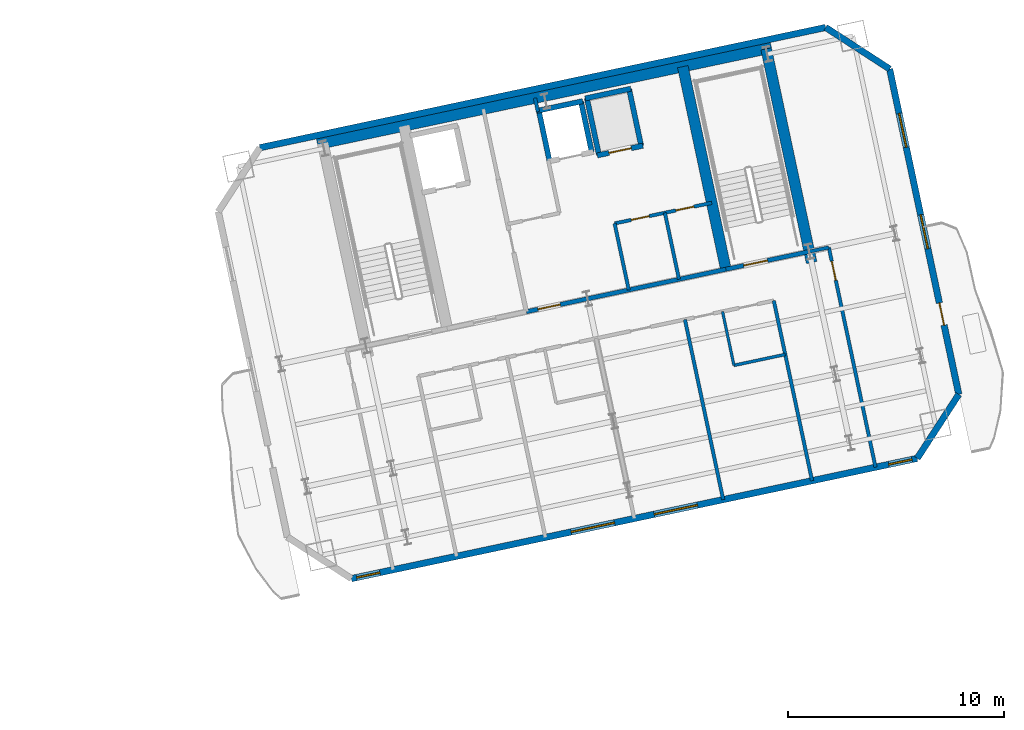
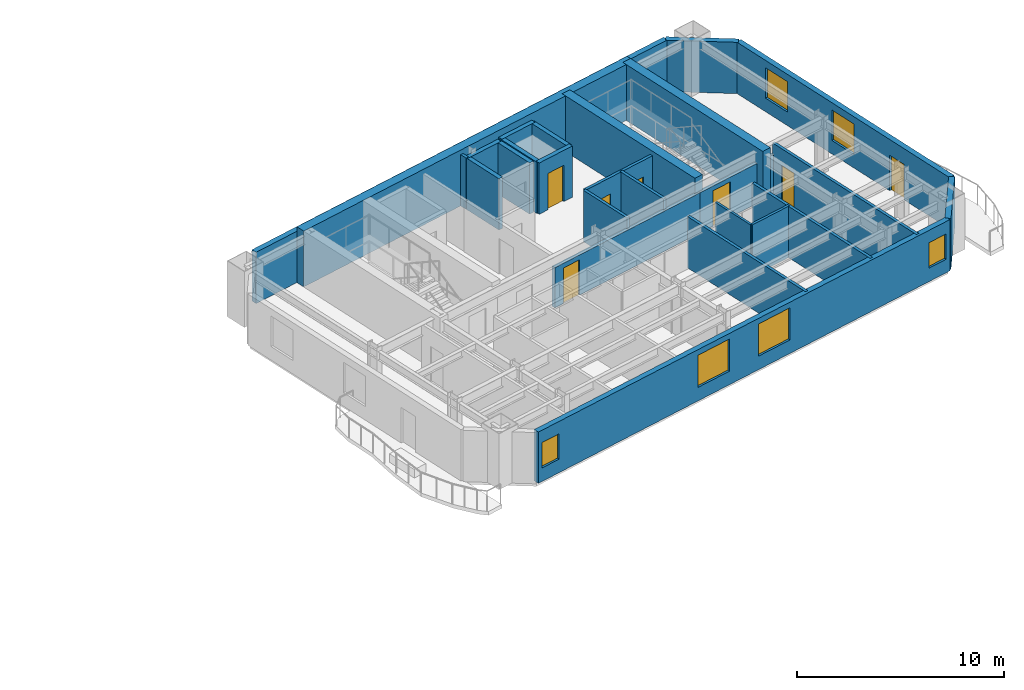
# One storey, part 8 of 14: 27 walls, 7 doors, 6 windows, 13 openings.
"""IFC4 building model written with IfcOpenShell, lengths in metres."""

from ifc_helpers import new_model, si_unit, direction, frame, frame_2d, origin, place, context, subcontext, project, spatial, rectangle, extrude, material, layer, layer_set, type_object, element, fill, save


model = new_model("IFC4")

# Units and contexts
model_context = context("Model", 3, precision=1e-05, world=origin(), true_north=direction((0.0, 1.0)))
body_context = subcontext(model_context, "Body", "Model", "MODEL_VIEW")
ifc_project = project(units=[si_unit("LENGTHUNIT", "METRE"), si_unit("AREAUNIT", "SQUARE_METRE"), si_unit("VOLUMEUNIT", "CUBIC_METRE"), si_unit("PLANEANGLEUNIT", "RADIAN"), si_unit("MASSUNIT", "GRAM", prefix="KILO")], contexts=[model_context])

# Site, building, storey
site_placement = place(None, origin())
site = spatial("IfcSite", under=ifc_project, at=site_placement, CompositionType="ELEMENT")
building_placement = place(site_placement, origin())
building = spatial("IfcBuilding", under=site, at=building_placement, Name="Haevon Station Towers", CompositionType="ELEMENT")
storey_placement = place(building_placement, frame((0.0, 0.0, 169.199951171875)))
storey = spatial("IfcBuildingStorey", under=building, at=storey_placement, Name="L46", CompositionType="ELEMENT", Elevation=169.199951171875)

# Wall, opening, door
ifc_material_1 = material(Name="Gypsum board on steel stud", Category="steel")
ifc_layer_1 = layer(ifc_material_1, 0.199951171875)
ifc_layer_set_1 = layer_set([ifc_layer_1], Name="Gypsum board on steel stud")
wall_type_1 = type_object("IfcWallType", Name="WL-COR200", PredefinedType="PARTITIONING", material=ifc_layer_set_1)
wall_1_placement = place(storey_placement, frame((115.4296875, 40.9873046875, 0.0), z_axis=(0.0, 0.0, 1.0), x_axis=(0.978146596989, 0.207916413008, 0.0)))
wall_1 = element("IfcWall", 1, at=wall_1_placement, inside=storey, type_object=wall_type_1, Name="WL-ST-ST4-L46", PredefinedType="PARTITIONING", context=body_context, shape_type="SweptSolid", body=[
    extrude(rectangle(XDim=3.9501953125, YDim=0.199951171875, at=frame_2d((1.97509765625, 0.0))), origin(), (0.0, 0.0, 1.0), 2.380126953125),
])
opening_1_placement = place(wall_1_placement, frame((0.85009765625, 0.0, 0.0)))
opening_1 = element("IfcOpeningElement", 2, at=opening_1_placement, cuts=wall_1, Name="Opening DR-ST-ST4-L46", PredefinedType="OPENING", context=body_context, shape_type="SweptSolid", body=[
    extrude(rectangle(XDim=1.1201171875, YDim=2.10009765625, at=frame_2d((0.56005859375, 1.050048828125))), frame((0.0, 0.10986328125, 0.0), z_axis=(0.0, -1.0, 0.0), x_axis=(1.0, 0.0, 0.0)), (0.0, 0.0, 1.0), 0.219970703125),
])
ifc_material_2 = material(Name="Engineered oak timber", Category="wood")
door_type_1 = type_object("IfcDoorType", Name="DR-ST-1120", OperationType="NOTDEFINED", PredefinedType="DOOR", material=ifc_material_2)
door_1_placement = place(opening_1_placement, origin())
door_1 = element("IfcDoor", 3, at=door_1_placement, inside=storey, type_object=door_type_1, Name="L46 Escape Stair ST4 Fire Door", OperationType="SINGLE_SWING_RIGHT", OverallHeight=2.10009765625, OverallWidth=1.1201171875, PredefinedType="DOOR", context=body_context, shape_type="SweptSolid", body=[
    extrude(rectangle(XDim=1.1201171875, YDim=2.10009765625, at=frame_2d((0.56005859375, 1.050048828125))), frame((0.0, 0.02490234375, 0.0), z_axis=(0.0, -1.0, 0.0), x_axis=(1.0, 0.0, 0.0)), (0.0, 0.0, 1.0), 0.050048828125),
])
fill(opening_1, door_1)

wall_2_placement = place(storey_placement, frame((106.186279296875, 39.0224609375, 0.0), z_axis=(0.0, 0.0, 1.0), x_axis=(0.978145519981, 0.20792147975, 0.0)))
wall_2 = element("IfcWall", 4, at=wall_2_placement, inside=storey, type_object=wall_type_1, Name="WL-T2CLB-L46", PredefinedType="PARTITIONING", context=body_context, shape_type="SweptSolid", body=[
    extrude(rectangle(XDim=9.449951171875, YDim=0.199951171875, at=frame_2d((4.72509765625, 0.0))), origin(), (0.0, 0.0, 1.0), 2.380126953125),
])
opening_2_placement = place(wall_2_placement, frame((0.550048828125, 0.0, 0.0)))
opening_2 = element("IfcOpeningElement", 5, at=opening_2_placement, cuts=wall_2, Name="Opening DR-T2CLB-L46-1", PredefinedType="OPENING", context=body_context, shape_type="SweptSolid", body=[
    extrude(rectangle(XDim=1.050048828125, YDim=2.10009765625, at=frame_2d((0.52490234375, 1.050048828125))), frame((0.0, 0.10986328125, 0.0), z_axis=(0.0, -1.0, 0.0), x_axis=(1.0, 0.0, 0.0)), (0.0, 0.0, 1.0), 0.219970703125),
])
door_type_2 = type_object("IfcDoorType", Name="DR-FD60-1050", OperationType="NOTDEFINED", PredefinedType="DOOR", material=ifc_material_2)
door_2_placement = place(opening_2_placement, origin())
door_2 = element("IfcDoor", 6, at=door_2_placement, inside=storey, type_object=door_type_2, Name="L46 Tower 2 Core Lift Lobby Door 1", OperationType="SINGLE_SWING_LEFT", OverallHeight=2.10009765625, OverallWidth=1.050048828125, PredefinedType="DOOR", context=body_context, shape_type="SweptSolid", body=[
    extrude(rectangle(XDim=1.050048828125, YDim=2.10009765625, at=frame_2d((0.52490234375, 1.050048828125))), frame((0.0, 0.02490234375, 0.0), z_axis=(0.0, -1.0, 0.0), x_axis=(1.0, 0.0, 0.0)), (0.0, 0.0, 1.0), 0.050048828125),
])
fill(opening_2, door_2)

# Walls
ifc_material_3 = material(Name="Concrete C60/75", Category="concrete")
ifc_layer_2 = layer(ifc_material_3, 0.5)
ifc_layer_set_2 = layer_set([ifc_layer_2], Name="Concrete C60/75")
wall_type_2 = type_object("IfcWallType", Name="WL-CR500", PredefinedType="SHEAR", material=ifc_layer_set_2)
wall_3_placement = place(storey_placement, frame((96.511962890625, 46.78076171875, 0.0), z_axis=(0.0, 0.0, 1.0), x_axis=(0.978148546782, 0.207907239961, 0.0)))
element("IfcWall", 7, at=wall_3_placement, inside=storey, type_object=wall_type_2, Name="WL-T2CR-L46-N", PredefinedType="SHEAR", context=body_context, shape_type="SweptSolid", body=[
    extrude(rectangle(XDim=21.499755859375, YDim=0.5, at=frame_2d((10.75, 0.0))), origin(), (0.0, 0.0, 1.0), 3.300048828125),
])
wall_4_placement = place(storey_placement, frame((119.401611328125, 41.2998046875, 0.0), z_axis=(0.0, 0.0, 1.0), x_axis=(-0.207904342798, 0.978149162575, 0.0)))
element("IfcWall", 8, at=wall_4_placement, inside=storey, type_object=wall_type_2, Name="WL-T2CR-L46-E", PredefinedType="SHEAR", context=body_context, shape_type="SweptSolid", body=[
    extrude(rectangle(XDim=10.1201171875, YDim=0.5, at=frame_2d((5.06005859375, 0.0))), origin(), (0.0, 0.0, 1.0), 3.300048828125),
])
wall_5_placement = place(storey_placement, frame((115.4296875, 40.9873046875, 0.0), z_axis=(0.0, 0.0, 1.0), x_axis=(-0.207903162969, 0.978149413345, 0.0)))
element("IfcWall", 9, at=wall_5_placement, inside=storey, type_object=wall_type_2, Name="WL-T2CR-L46-M2", PredefinedType="SHEAR", context=body_context, shape_type="SweptSolid", body=[
    extrude(rectangle(XDim=9.599853515625, YDim=0.5, at=frame_2d((4.7998046875, 0.0))), origin(), (0.0, 0.0, 1.0), 3.300048828125),
])

# Wall, openings, windows
ifc_material_4 = material(Name="Precast concrete C45/55", Category="concrete")
ifc_layer_3 = layer(ifc_material_4, 0.300048828125)
ifc_layer_set_3 = layer_set([ifc_layer_3], Name="Precast concrete C45/55")
wall_type_3 = type_object("IfcWallType", Name="WL-EXT-PIER300", PredefinedType="SOLIDWALL", material=ifc_layer_set_3)
wall_6_placement = place(storey_placement, frame((124.29443359375, 32.22900390625, 0.0), z_axis=(0.0, 0.0, 1.0), x_axis=(-0.978147690128, -0.20791127025, 0.0)))
wall_6 = element("IfcWall", 10, at=wall_6_placement, inside=storey, type_object=wall_type_3, Name="WL-T2-L46-S", PredefinedType="SOLIDWALL", context=body_context, shape_type="SweptSolid", body=[
    extrude(rectangle(XDim=26.800048828125, YDim=0.300048828125, at=frame_2d((13.39990234375, 0.0))), origin(), (0.0, 0.0, 1.0), 3.030029296875),
])
opening_3_placement = place(wall_6_placement, frame((25.449951171875, 0.0, 0.800048828125)))
opening_3 = element("IfcOpeningElement", 11, at=opening_3_placement, cuts=wall_6, Name="Opening WN-COR110", PredefinedType="OPENING", context=body_context, shape_type="SweptSolid", body=[
    extrude(rectangle(XDim=1.10009765625, YDim=1.5, at=frame_2d((0.550048828125, 0.75))), frame((0.0, 0.159912109375, 0.0), z_axis=(0.0, -1.0, 0.0), x_axis=(1.0, 0.0, 0.0)), (0.0, 0.0, 1.0), 0.320068359375),
])
opening_4_placement = place(wall_6_placement, frame((0.25, 0.0, 0.800048828125)))
opening_4 = element("IfcOpeningElement", 12, at=opening_4_placement, cuts=wall_6, Name="Opening WN-COR110", PredefinedType="OPENING", context=body_context, shape_type="SweptSolid", body=[
    extrude(rectangle(XDim=1.10009765625, YDim=1.5, at=frame_2d((0.550048828125, 0.75))), frame((0.0, 0.159912109375, 0.0), z_axis=(0.0, -1.0, 0.0), x_axis=(1.0, 0.0, 0.0)), (0.0, 0.0, 1.0), 0.320068359375),
])
opening_5_placement = place(wall_6_placement, frame((14.340087890625, 0.0, 0.800048828125)))
opening_5 = element("IfcOpeningElement", 13, at=opening_5_placement, cuts=wall_6, Name="Opening WN-P205", PredefinedType="OPENING", context=body_context, shape_type="SweptSolid", body=[
    extrude(rectangle(XDim=2.050048828125, YDim=1.89990234375, at=frame_2d((1.02490234375, 0.949951171875))), frame((0.0, 0.159912109375, 0.0), z_axis=(0.0, -1.0, 0.0), x_axis=(1.0, 0.0, 0.0)), (0.0, 0.0, 1.0), 0.320068359375),
])
opening_6_placement = place(wall_6_placement, frame((10.409912109375, 0.0, 0.800048828125)))
opening_6 = element("IfcOpeningElement", 14, at=opening_6_placement, cuts=wall_6, Name="Opening WN-P205", PredefinedType="OPENING", context=body_context, shape_type="SweptSolid", body=[
    extrude(rectangle(XDim=2.050048828125, YDim=1.89990234375, at=frame_2d((1.02490234375, 0.949951171875))), frame((0.0, 0.159912109375, 0.0), z_axis=(0.0, -1.0, 0.0), x_axis=(1.0, 0.0, 0.0)), (0.0, 0.0, 1.0), 0.320068359375),
])
ifc_material_5 = material(Name="Low-E triple glazing in thermally broken aluminium", Category="aluminium")
window_type_1 = type_object("IfcWindowType", Name="WN-COR110", PartitioningType="SINGLE_PANEL", PredefinedType="WINDOW", material=ifc_material_5)
window_1_placement = place(opening_3_placement, origin())
window_1 = element("IfcWindow", 15, at=window_1_placement, inside=storey, type_object=window_type_1, Name="WN-T2-L46-S01", OverallHeight=1.5, OverallWidth=1.10009765625, PartitioningType="SINGLE_PANEL", PredefinedType="WINDOW", context=body_context, shape_type="SweptSolid", body=[
    extrude(rectangle(XDim=1.10009765625, YDim=1.5, at=frame_2d((0.550048828125, 0.75))), frame((0.0, 0.030029296875, 0.0), z_axis=(0.0, -1.0, 0.0), x_axis=(1.0, 0.0, 0.0)), (0.0, 0.0, 1.0), 0.06005859375),
])
fill(opening_3, window_1)
window_2_placement = place(opening_4_placement, origin())
window_2 = element("IfcWindow", 16, at=window_2_placement, inside=storey, type_object=window_type_1, Name="WN-T2-L46-S02", OverallHeight=1.5, OverallWidth=1.10009765625, PartitioningType="SINGLE_PANEL", PredefinedType="WINDOW", context=body_context, shape_type="SweptSolid", body=[
    extrude(rectangle(XDim=1.10009765625, YDim=1.5, at=frame_2d((0.550048828125, 0.75))), frame((0.0, 0.030029296875, 0.0), z_axis=(0.0, -1.0, 0.0), x_axis=(1.0, 0.0, 0.0)), (0.0, 0.0, 1.0), 0.06005859375),
])
fill(opening_4, window_2)
window_type_2 = type_object("IfcWindowType", Name="WN-P205", PartitioningType="SINGLE_PANEL", PredefinedType="WINDOW", material=ifc_material_5)
window_3_placement = place(opening_5_placement, origin())
window_3 = element("IfcWindow", 17, at=window_3_placement, inside=storey, type_object=window_type_2, Name="WN-T2-L46-S03", OverallHeight=1.89990234375, OverallWidth=2.050048828125, PartitioningType="SINGLE_PANEL", PredefinedType="WINDOW", context=body_context, shape_type="SweptSolid", body=[
    extrude(rectangle(XDim=2.050048828125, YDim=1.89990234375, at=frame_2d((1.02490234375, 0.949951171875))), frame((0.0, 0.030029296875, 0.0), z_axis=(0.0, -1.0, 0.0), x_axis=(1.0, 0.0, 0.0)), (0.0, 0.0, 1.0), 0.06005859375),
])
fill(opening_5, window_3)
window_4_placement = place(opening_6_placement, origin())
window_4 = element("IfcWindow", 18, at=window_4_placement, inside=storey, type_object=window_type_2, Name="WN-T2-L46-S04", OverallHeight=1.89990234375, OverallWidth=2.050048828125, PartitioningType="SINGLE_PANEL", PredefinedType="WINDOW", context=body_context, shape_type="SweptSolid", body=[
    extrude(rectangle(XDim=2.050048828125, YDim=1.89990234375, at=frame_2d((1.02490234375, 0.949951171875))), frame((0.0, 0.030029296875, 0.0), z_axis=(0.0, -1.0, 0.0), x_axis=(1.0, 0.0, 0.0)), (0.0, 0.0, 1.0), 0.06005859375),
])
fill(opening_6, window_4)

# Walls
wall_7_placement = place(storey_placement, frame((93.836669921875, 46.620849609375, 0.0), z_axis=(0.0, 0.0, 1.0), x_axis=(0.978147690128, 0.20791127025, 0.0)))
element("IfcWall", 19, at=wall_7_placement, inside=storey, type_object=wall_type_3, Name="WL-T2-L46-N", PredefinedType="SOLIDWALL", context=body_context, shape_type="SweptSolid", body=[
    extrude(rectangle(XDim=26.800048828125, YDim=0.300048828125, at=frame_2d((13.39990234375, 0.0))), origin(), (0.0, 0.0, 1.0), 3.030029296875),
])
wall_8_placement = place(storey_placement, frame((120.051025390625, 52.19287109375, 0.0), z_axis=(0.0, 0.0, 1.0), x_axis=(0.838672309694, -0.544636352948, 0.0)))
element("IfcWall", 20, at=wall_8_placement, inside=storey, type_object=wall_type_3, Name="WL-T2-L46-NEC", PredefinedType="SOLIDWALL", context=body_context, shape_type="SweptSolid", body=[
    extrude(rectangle(XDim=3.535400390625, YDim=0.300048828125, at=frame_2d((1.767578125, 0.0))), origin(), (0.0, 0.0, 1.0), 3.030029296875),
])

# Wall, openings, door, windows
wall_9_placement = place(storey_placement, frame((123.01611328125, 50.267333984375, 0.0), z_axis=(0.0, 0.0, 1.0), x_axis=(0.207908020757, -0.978148380822, 0.0)))
wall_9 = element("IfcWall", 21, at=wall_9_placement, inside=storey, type_object=wall_type_3, Name="WL-T2-L46-E", PredefinedType="SOLIDWALL", context=body_context, shape_type="SweptSolid", body=[
    extrude(rectangle(XDim=15.409912109375, YDim=0.300048828125, at=frame_2d((7.705078125, 0.0))), origin(), (0.0, 0.0, 1.0), 3.030029296875),
])
opening_7_placement = place(wall_9_placement, frame((11.080078125, 0.0, 0.0)))
opening_7 = element("IfcOpeningElement", 22, at=opening_7_placement, cuts=wall_9, Name="Opening DR-T2-SCAL-L46-E", PredefinedType="OPENING", context=body_context, shape_type="SweptSolid", body=[
    extrude(rectangle(XDim=1.050048828125, YDim=2.10009765625, at=frame_2d((0.52490234375, 1.050048828125))), frame((0.0, 0.159912109375, 0.0), z_axis=(0.0, -1.0, 0.0), x_axis=(1.0, 0.0, 0.0)), (0.0, 0.0, 1.0), 0.320068359375),
])
opening_8_placement = place(wall_9_placement, frame((2.108154296875, 0.0, 0.800048828125)))
opening_8 = element("IfcOpeningElement", 23, at=opening_8_placement, cuts=wall_9, Name="Opening WN-END160", PredefinedType="OPENING", context=body_context, shape_type="SweptSolid", body=[
    extrude(rectangle(XDim=1.60009765625, YDim=1.800048828125, at=frame_2d((0.800048828125, 0.89990234375))), frame((0.0, 0.159912109375, 0.0), z_axis=(0.0, -1.0, 0.0), x_axis=(1.0, 0.0, 0.0)), (0.0, 0.0, 1.0), 0.320068359375),
])
opening_9_placement = place(wall_9_placement, frame((6.905029296875, 0.0, 0.800048828125)))
opening_9 = element("IfcOpeningElement", 24, at=opening_9_placement, cuts=wall_9, Name="Opening WN-END160", PredefinedType="OPENING", context=body_context, shape_type="SweptSolid", body=[
    extrude(rectangle(XDim=1.60009765625, YDim=1.800048828125, at=frame_2d((0.800048828125, 0.89990234375))), frame((0.0, 0.159912109375, 0.0), z_axis=(0.0, -1.0, 0.0), x_axis=(1.0, 0.0, 0.0)), (0.0, 0.0, 1.0), 0.320068359375),
])
ifc_material_6 = material(Name="Thermally broken anodised aluminium and laminated safety glass", Category="aluminium")
door_type_3 = type_object("IfcDoorType", Name="DR-BALC-1050", OperationType="NOTDEFINED", PredefinedType="DOOR", material=ifc_material_6)
door_3_placement = place(opening_7_placement, origin())
door_3 = element("IfcDoor", 25, at=door_3_placement, inside=storey, type_object=door_type_3, Name="Tower 2 L46 East Scalloped Balcony Door", OperationType="SINGLE_SWING_RIGHT", OverallHeight=2.10009765625, OverallWidth=1.050048828125, PredefinedType="DOOR", context=body_context, shape_type="SweptSolid", body=[
    extrude(rectangle(XDim=1.050048828125, YDim=2.10009765625, at=frame_2d((0.52490234375, 1.050048828125))), frame((0.0, 0.02490234375, 0.0), z_axis=(0.0, -1.0, 0.0), x_axis=(1.0, 0.0, 0.0)), (0.0, 0.0, 1.0), 0.050048828125),
])
fill(opening_7, door_3)
window_type_3 = type_object("IfcWindowType", Name="WN-END160", PartitioningType="SINGLE_PANEL", PredefinedType="WINDOW", material=ifc_material_5)
window_5_placement = place(opening_8_placement, origin())
window_5 = element("IfcWindow", 26, at=window_5_placement, inside=storey, type_object=window_type_3, Name="WN-T2-L46-E01", OverallHeight=1.800048828125, OverallWidth=1.60009765625, PartitioningType="SINGLE_PANEL", PredefinedType="WINDOW", context=body_context, shape_type="SweptSolid", body=[
    extrude(rectangle(XDim=1.60009765625, YDim=1.800048828125, at=frame_2d((0.800048828125, 0.89990234375))), frame((0.0, 0.030029296875, 0.0), z_axis=(0.0, -1.0, 0.0), x_axis=(1.0, 0.0, 0.0)), (0.0, 0.0, 1.0), 0.06005859375),
])
fill(opening_8, window_5)
window_6_placement = place(opening_9_placement, origin())
window_6 = element("IfcWindow", 27, at=window_6_placement, inside=storey, type_object=window_type_3, Name="WN-T2-L46-E02", OverallHeight=1.800048828125, OverallWidth=1.60009765625, PartitioningType="SINGLE_PANEL", PredefinedType="WINDOW", context=body_context, shape_type="SweptSolid", body=[
    extrude(rectangle(XDim=1.60009765625, YDim=1.800048828125, at=frame_2d((0.800048828125, 0.89990234375))), frame((0.0, 0.030029296875, 0.0), z_axis=(0.0, -1.0, 0.0), x_axis=(1.0, 0.0, 0.0)), (0.0, 0.0, 1.0), 0.06005859375),
])
fill(opening_9, window_6)

# Walls
wall_10_placement = place(storey_placement, frame((126.219970703125, 35.194091796875, 0.0), z_axis=(0.0, 0.0, 1.0), x_axis=(-0.544636352948, -0.838672309694, 0.0)))
element("IfcWall", 28, at=wall_10_placement, inside=storey, type_object=wall_type_3, Name="WL-T2-L46-SEC", PredefinedType="SOLIDWALL", context=body_context, shape_type="SweptSolid", body=[
    extrude(rectangle(XDim=3.535400390625, YDim=0.300048828125, at=frame_2d((1.767578125, 0.0))), origin(), (0.0, 0.0, 1.0), 3.030029296875),
])
ifc_layer_4 = layer(ifc_material_1, 0.125)
ifc_layer_set_4 = layer_set([ifc_layer_4], Name="Gypsum board on steel stud")
wall_type_4 = type_object("IfcWallType", Name="WL-PRT125", PredefinedType="PARTITIONING", material=ifc_layer_set_4)
wall_11_placement = place(storey_placement, frame((115.802978515625, 36.53759765625, 0.0), z_axis=(0.0, 0.0, 1.0), x_axis=(-0.207848450565, 0.978161040728, 0.0)))
element("IfcWall", 29, at=wall_11_placement, inside=storey, type_object=wall_type_4, Name="WL-T2PT-L46-15", PredefinedType="PARTITIONING", context=body_context, shape_type="SweptSolid", body=[
    extrude(rectangle(XDim=2.550048828125, YDim=0.125, at=frame_2d((1.27490234375, 0.0))), origin(), (0.0, 0.0, 1.0), 3.030029296875),
])
ifc_layer_5 = layer(ifc_material_1, 0.139892578125)
ifc_layer_set_5 = layer_set([ifc_layer_5], Name="Gypsum board on steel stud")
wall_type_5 = type_object("IfcWallType", Name="WL-PRT140", PredefinedType="PARTITIONING", material=ifc_layer_set_5)
wall_12_placement = place(storey_placement, frame((115.802978515625, 36.53759765625, 0.0), z_axis=(0.0, 0.0, 1.0), x_axis=(0.978136375918, 0.207964492415, 0.0)))
element("IfcWall", 30, at=wall_12_placement, inside=storey, type_object=wall_type_5, Name="WL-T2PT-L46-14", PredefinedType="PARTITIONING", context=body_context, shape_type="SweptSolid", body=[
    extrude(rectangle(XDim=2.43017578125, YDim=0.139892578125, at=frame_2d((1.215087890625, 0.0))), origin(), (0.0, 0.0, 1.0), 3.030029296875),
])
ifc_layer_6 = layer(ifc_material_1, 0.159912109375)
ifc_layer_set_6 = layer_set([ifc_layer_6], Name="Gypsum board on steel stud")
wall_type_6 = type_object("IfcWallType", Name="WL-PRT160", PredefinedType="PARTITIONING", material=ifc_layer_set_6)
wall_13_placement = place(storey_placement, frame((106.721923828125, 48.286376953125, 0.0), z_axis=(0.0, 0.0, 1.0), x_axis=(-0.208092352933, 0.978109182377, 0.0)))
element("IfcWall", 31, at=wall_13_placement, inside=storey, type_object=wall_type_6, Name="WL-T2CW-L46-04", PredefinedType="PARTITIONING", context=body_context, shape_type="SweptSolid", body=[
    extrude(rectangle(XDim=0.64990234375, YDim=0.159912109375, at=frame_2d((0.324951171875, 0.0))), origin(), (0.0, 0.0, 1.0), 3.030029296875),
])
wall_14_placement = place(storey_placement, frame((110.93017578125, 40.031005859375, 0.0), z_axis=(0.0, 0.0, 1.0), x_axis=(-0.207877295669, 0.978154911016, 0.0)))
element("IfcWall", 32, at=wall_14_placement, inside=storey, type_object=wall_type_6, Name="WL-T2CW-L46-05", PredefinedType="PARTITIONING", context=body_context, shape_type="SweptSolid", body=[
    extrude(rectangle(XDim=3.14990234375, YDim=0.159912109375, at=frame_2d((1.574951171875, 0.0))), origin(), (0.0, 0.0, 1.0), 3.030029296875),
])
wall_15_placement = place(storey_placement, frame((113.25830078125, 40.525634765625, 0.0), z_axis=(0.0, 0.0, 1.0), x_axis=(-0.207935688634, 0.978142499533, 0.0)))
element("IfcWall", 33, at=wall_15_placement, inside=storey, type_object=wall_type_6, Name="WL-T2CW-L46-06", PredefinedType="PARTITIONING", context=body_context, shape_type="SweptSolid", body=[
    extrude(rectangle(XDim=3.150146484375, YDim=0.159912109375, at=frame_2d((1.5751953125, 0.0))), origin(), (0.0, 0.0, 1.0), 3.030029296875),
])

# Wall, openings, doors
wall_16_placement = place(storey_placement, frame((110.275390625, 43.112060546875, 0.0), z_axis=(0.0, 0.0, 1.0), x_axis=(0.978152106073, 0.207890493732, 0.0)))
wall_16 = element("IfcWall", 34, at=wall_16_placement, inside=storey, type_object=wall_type_6, Name="WL-T2CW-L46-07", PredefinedType="PARTITIONING", context=body_context, shape_type="SweptSolid", body=[
    extrude(rectangle(XDim=4.60009765625, YDim=0.159912109375, at=frame_2d((2.300048828125, 0.0))), origin(), (0.0, 0.0, 1.0), 3.030029296875),
])
opening_10_placement = place(wall_16_placement, frame((0.784912109375, 0.0, 0.0)))
opening_10 = element("IfcOpeningElement", 35, at=opening_10_placement, cuts=wall_16, Name="Opening DR-WL-T2CW-L46-07-1", PredefinedType="OPENING", context=body_context, shape_type="SweptSolid", body=[
    extrude(rectangle(XDim=0.85009765625, YDim=2.050048828125, at=frame_2d((0.425048828125, 1.02490234375))), frame((0.0, 0.08984375, 0.0), z_axis=(0.0, -1.0, 0.0), x_axis=(1.0, 0.0, 0.0)), (0.0, 0.0, 1.0), 0.179931640625),
])
opening_11_placement = place(wall_16_placement, frame((2.905029296875, 0.0, 0.0)))
opening_11 = element("IfcOpeningElement", 36, at=opening_11_placement, cuts=wall_16, Name="Opening DR-WL-T2CW-L46-07-2", PredefinedType="OPENING", context=body_context, shape_type="SweptSolid", body=[
    extrude(rectangle(XDim=0.85009765625, YDim=2.050048828125, at=frame_2d((0.425048828125, 1.02490234375))), frame((0.0, 0.08984375, 0.0), z_axis=(0.0, -1.0, 0.0), x_axis=(1.0, 0.0, 0.0)), (0.0, 0.0, 1.0), 0.179931640625),
])
door_type_4 = type_object("IfcDoorType", Name="DR-FD30-850", OperationType="NOTDEFINED", PredefinedType="DOOR", material=ifc_material_2)
door_4_placement = place(opening_10_placement, origin())
door_4 = element("IfcDoor", 37, at=door_4_placement, inside=storey, type_object=door_type_4, Name="L46 Tower 2 Core Room Door 7-1", OperationType="SINGLE_SWING_LEFT", OverallHeight=2.050048828125, OverallWidth=0.85009765625, PredefinedType="DOOR", context=body_context, shape_type="SweptSolid", body=[
    extrude(rectangle(XDim=0.85009765625, YDim=2.050048828125, at=frame_2d((0.425048828125, 1.02490234375))), frame((0.0, 0.02490234375, 0.0), z_axis=(0.0, -1.0, 0.0), x_axis=(1.0, 0.0, 0.0)), (0.0, 0.0, 1.0), 0.050048828125),
])
fill(opening_10, door_4)
door_5_placement = place(opening_11_placement, origin())
door_5 = element("IfcDoor", 38, at=door_5_placement, inside=storey, type_object=door_type_4, Name="L46 Tower 2 Core Room Door 7-2", OperationType="SINGLE_SWING_RIGHT", OverallHeight=2.050048828125, OverallWidth=0.85009765625, PredefinedType="DOOR", context=body_context, shape_type="SweptSolid", body=[
    extrude(rectangle(XDim=0.85009765625, YDim=2.050048828125, at=frame_2d((0.425048828125, 1.02490234375))), frame((0.0, 0.02490234375, 0.0), z_axis=(0.0, -1.0, 0.0), x_axis=(1.0, 0.0, 0.0)), (0.0, 0.0, 1.0), 0.050048828125),
])
fill(opening_11, door_5)

# Walls
wall_17_placement = place(storey_placement, frame((119.42333984375, 31.193603515625, 0.0), z_axis=(0.0, 0.0, 1.0), x_axis=(-0.207935775423, 0.978142481083, 0.0)))
element("IfcWall", 39, at=wall_17_placement, inside=storey, type_object=wall_type_6, Name="WL-T2PT-L46-02", PredefinedType="PARTITIONING", context=body_context, shape_type="SweptSolid", body=[
    extrude(rectangle(XDim=8.530029296875, YDim=0.159912109375, at=frame_2d((4.26513671875, 0.0))), origin(), (0.0, 0.0, 1.0), 3.030029296875),
])
wall_18_placement = place(storey_placement, frame((119.29345703125, 41.80859375, 0.0), z_axis=(0.0, 0.0, 1.0), x_axis=(0.978133353907, 0.20797870558, 0.0)))
element("IfcWall", 40, at=wall_18_placement, inside=storey, type_object=wall_type_6, Name="WL-T2PT-L46-04", PredefinedType="PARTITIONING", context=body_context, shape_type="SweptSolid", body=[
    extrude(rectangle(XDim=0.925048828125, YDim=0.159912109375, at=frame_2d((0.46240234375, 0.0))), origin(), (0.0, 0.0, 1.0), 2.380126953125),
])

# Wall, opening, door
wall_19_placement = place(storey_placement, frame((122.362548828125, 31.818359375, 0.0), z_axis=(0.0, 0.0, 1.0), x_axis=(-0.207904755642, 0.978149074825, 0.0)))
wall_19 = element("IfcWall", 41, at=wall_19_placement, inside=storey, type_object=wall_type_6, Name="WL-T2PT-L46-06", PredefinedType="PARTITIONING", context=body_context, shape_type="SweptSolid", body=[
    extrude(rectangle(XDim=10.41015625, YDim=0.159912109375, at=frame_2d((5.205078125, 0.0))), origin(), (0.0, 0.0, 1.0), 3.030029296875),
])
opening_12_placement = place(wall_19_placement, frame((8.85009765625, 0.0, 0.0)))
opening_12 = element("IfcOpeningElement", 42, at=opening_12_placement, cuts=wall_19, Name="Opening DR-WL-T2PT-L46-06-01", PredefinedType="OPENING", context=body_context, shape_type="SweptSolid", body=[
    extrude(rectangle(XDim=0.89990234375, YDim=2.050048828125, at=frame_2d((0.449951171875, 1.02490234375))), frame((0.0, 0.08984375, 0.0), z_axis=(0.0, -1.0, 0.0), x_axis=(1.0, 0.0, 0.0)), (0.0, 0.0, 1.0), 0.179931640625),
])
door_type_5 = type_object("IfcDoorType", Name="DR-INT-900", OperationType="NOTDEFINED", PredefinedType="DOOR", material=ifc_material_2)
door_6_placement = place(opening_12_placement, origin())
door_6 = element("IfcDoor", 43, at=door_6_placement, inside=storey, type_object=door_type_5, Name="L46 Tower 2 Room Door 6-1", OperationType="SINGLE_SWING_RIGHT", OverallHeight=2.050048828125, OverallWidth=0.89990234375, PredefinedType="DOOR", context=body_context, shape_type="SweptSolid", body=[
    extrude(rectangle(XDim=0.89990234375, YDim=2.050048828125, at=frame_2d((0.449951171875, 1.02490234375))), frame((0.0, 0.02490234375, 0.0), z_axis=(0.0, -1.0, 0.0), x_axis=(1.0, 0.0, 0.0)), (0.0, 0.0, 1.0), 0.050048828125),
])
fill(opening_12, door_6)

# Walls
wall_20_placement = place(storey_placement, frame((115.30517578125, 30.318359375, 0.0), z_axis=(0.0, 0.0, 1.0), x_axis=(-0.207908391118, 0.978148302101, 0.0)))
element("IfcWall", 44, at=wall_20_placement, inside=storey, type_object=wall_type_6, Name="WL-T2PT-L46-13", PredefinedType="PARTITIONING", context=body_context, shape_type="SweptSolid", body=[
    extrude(rectangle(XDim=8.52978515625, YDim=0.159912109375, at=frame_2d((4.264892578125, 0.0))), origin(), (0.0, 0.0, 1.0), 3.030029296875),
])
ifc_material_7 = material(Name="Concrete C40/50", Category="concrete")
ifc_layer_7 = layer(ifc_material_7, 0.239990234375)
ifc_layer_set_7 = layer_set([ifc_layer_7], Name="Concrete C40/50")
wall_type_7 = type_object("IfcWallType", Name="WL-SHF240", PredefinedType="PARTITIONING", material=ifc_layer_set_7)
wall_21_placement = place(storey_placement, frame((106.68212890625, 48.3291015625, 0.0), z_axis=(0.0, 0.0, 1.0), x_axis=(0.978158276388, 0.207861459473, 0.0)))
element("IfcWall", 45, at=wall_21_placement, inside=storey, type_object=wall_type_7, Name="WL-SHF-PL8-L46-N", PredefinedType="PARTITIONING", context=body_context, shape_type="SweptSolid", body=[
    extrude(rectangle(XDim=2.159912109375, YDim=0.239990234375, at=frame_2d((1.080078125, 0.0))), origin(), (0.0, 0.0, 1.0), 3.030029296875),
])
for number, where, z_axis, x_axis, name in (
    (46, (107.259521484375, 45.998046875, 0.0), (0.0, 0.0, 1.0), (-0.207917150959, 0.978146440129, 0.0), "WL-SHF-PL8-L46-W"),
    (47, (109.2158203125, 46.413818359375, 0.0), (0.0, 0.0, 1.0), (-0.207917150959, 0.978146440129, 0.0), "WL-SHF-PL8-L46-E"),
):
    element("IfcWall", number, at=place(storey_placement, frame(where, z_axis=z_axis, x_axis=x_axis)), inside=storey, type_object=wall_type_7, Name=name, PredefinedType="PARTITIONING", context=body_context, shape_type="SweptSolid", body=[
        extrude(rectangle(XDim=2.400146484375, YDim=0.239990234375, at=frame_2d((1.2001953125, 0.0))), origin(), (0.0, 0.0, 1.0), 3.030029296875),
    ])

# Wall, opening, door
wall_22_placement = place(storey_placement, frame((109.472412109375, 46.263916015625, 0.0), z_axis=(0.0, 0.0, 1.0), x_axis=(0.97813528961, 0.207969601673, 0.0)))
wall_22 = element("IfcWall", 48, at=wall_22_placement, inside=storey, type_object=wall_type_7, Name="WL-SHF-PL9-L46", PredefinedType="PARTITIONING", context=body_context, shape_type="SweptSolid", body=[
    extrude(rectangle(XDim=2.159912109375, YDim=0.239990234375, at=frame_2d((1.080078125, 0.0))), origin(), (0.0, 0.0, 1.0), 3.030029296875),
])
opening_13_placement = place(wall_22_placement, frame((0.554931640625, 0.0, 0.0)))
opening_13 = element("IfcOpeningElement", 49, at=opening_13_placement, cuts=wall_22, Name="Opening LD-PL9-L46", PredefinedType="OPENING", context=body_context, shape_type="SweptSolid", body=[
    extrude(rectangle(XDim=1.050048828125, YDim=2.14990234375, at=frame_2d((0.52490234375, 1.074951171875))), frame((0.0, 0.1298828125, 0.0), z_axis=(0.0, -1.0, 0.0), x_axis=(1.0, 0.0, 0.0)), (0.0, 0.0, 1.0), 0.260009765625),
])
ifc_material_8 = material(Name="Stainless steel and rated core", Category="steel")
door_type_6 = type_object("IfcDoorType", Name="LD-PL1050", OperationType="SLIDING_TO_LEFT", PredefinedType="DOOR", material=ifc_material_8)
door_7_placement = place(opening_13_placement, origin())
door_7 = element("IfcDoor", 50, at=door_7_placement, inside=storey, type_object=door_type_6, Name="L46 Lift PL9 Sliding Landing Door", OperationType="SLIDING_TO_LEFT", OverallHeight=2.14990234375, OverallWidth=1.050048828125, PredefinedType="DOOR", context=body_context, shape_type="SweptSolid", body=[
    extrude(rectangle(XDim=1.050048828125, YDim=2.14990234375, at=frame_2d((0.52490234375, 1.074951171875))), frame((0.0, 0.02490234375, 0.0), z_axis=(0.0, -1.0, 0.0), x_axis=(1.0, 0.0, 0.0)), (0.0, 0.0, 1.0), 0.050048828125),
])
fill(opening_13, door_7)

# Walls
wall_23_placement = place(storey_placement, frame((108.9111328125, 48.905029296875, 0.0), z_axis=(0.0, 0.0, 1.0), x_axis=(0.978158276388, 0.207861459473, 0.0)))
element("IfcWall", 51, at=wall_23_placement, inside=storey, type_object=wall_type_7, Name="WL-SHF-PL9-L46-N", PredefinedType="PARTITIONING", context=body_context, shape_type="SweptSolid", body=[
    extrude(rectangle(XDim=2.159912109375, YDim=0.239990234375, at=frame_2d((1.080078125, 0.0))), origin(), (0.0, 0.0, 1.0), 3.030029296875),
])
for number, where, z_axis, x_axis, name in (
    (52, (109.55078125, 46.28076171875, 0.0), (0.0, 0.0, 1.0), (-0.207892282326, 0.978151725935, 0.0), "WL-SHF-PL9-L46-W"),
    (53, (111.507080078125, 46.696533203125, 0.0), (0.0, 0.0, 1.0), (-0.207892282326, 0.978151725935, 0.0), "WL-SHF-PL9-L46-E"),
):
    element("IfcWall", number, at=place(storey_placement, frame(where, z_axis=z_axis, x_axis=x_axis)), inside=storey, type_object=wall_type_7, Name=name, PredefinedType="PARTITIONING", context=body_context, shape_type="SweptSolid", body=[
        extrude(rectangle(XDim=2.699951171875, YDim=0.239990234375, at=frame_2d((1.35009765625, 0.0))), origin(), (0.0, 0.0, 1.0), 3.030029296875),
    ])

save(model, "model.ifc")
